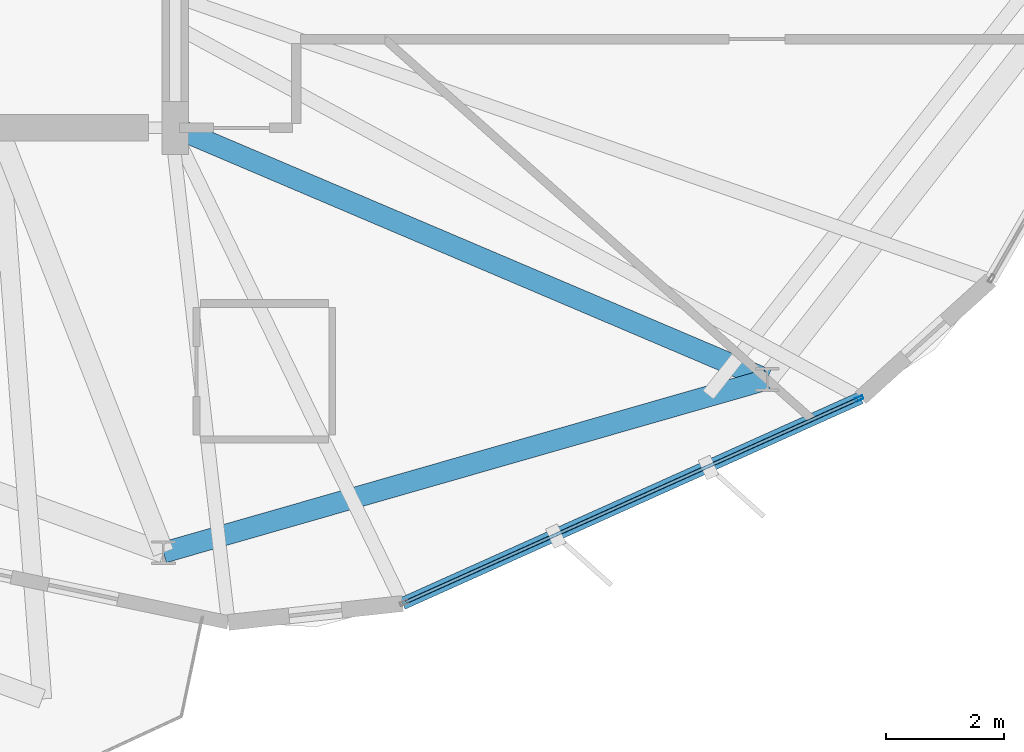
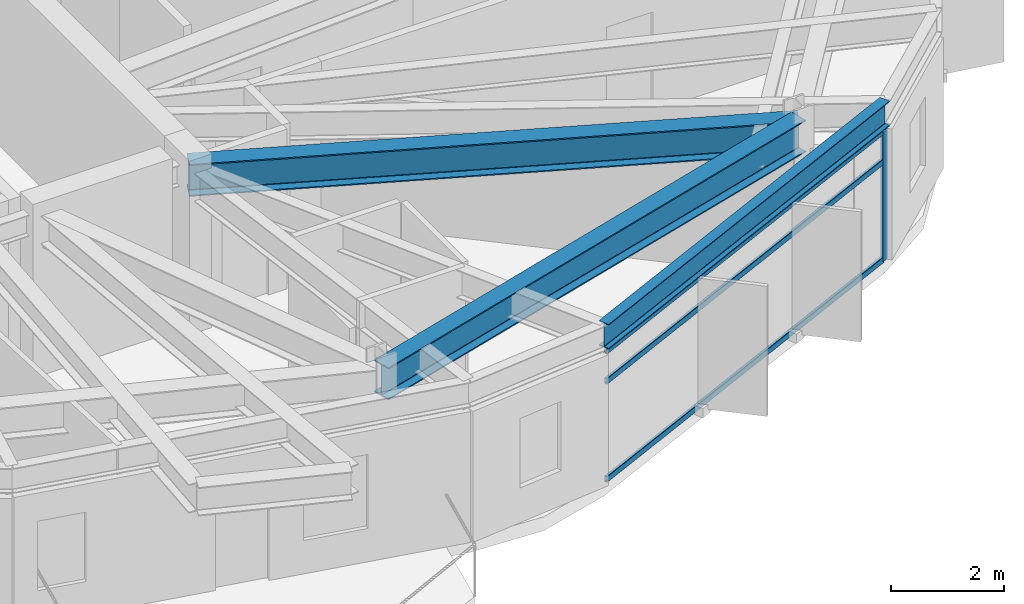
# One storey, part 6 of 23: 4 members, 3 beams, 1 element without a shape of its own.
"""IFC4 building model written with IfcOpenShell, lengths in metres."""

from ifc_helpers import new_model, si_unit, direction, frame, origin, origin_2d, place, context, subcontext, project, spatial, hollow_rectangle, i_section, extrude, material, layer, layer_set, material_profile, profile_set, type_object, element, aggregate, save


model = new_model("IFC4")

# Units and contexts
model_context = context("Model", 3, precision=1e-05, world=origin(), true_north=direction((0.0, 1.0)))
body_context = subcontext(model_context, "Body", "Model", "MODEL_VIEW")
ifc_project = project(units=[si_unit("LENGTHUNIT", "METRE"), si_unit("AREAUNIT", "SQUARE_METRE"), si_unit("VOLUMEUNIT", "CUBIC_METRE"), si_unit("PLANEANGLEUNIT", "RADIAN"), si_unit("MASSUNIT", "GRAM", prefix="KILO")], contexts=[model_context])

# Site, building, storey
site_placement = place(None, origin())
site = spatial("IfcSite", under=ifc_project, at=site_placement, CompositionType="ELEMENT")
building_placement = place(site_placement, origin())
building = spatial("IfcBuilding", under=site, at=building_placement, Name="Soratama Intermodal Tower", CompositionType="ELEMENT")
storey_placement = place(building_placement, frame((0.0, 0.0, 253.75)))
storey = spatial("IfcBuildingStorey", under=building, at=storey_placement, Name="L64", CompositionType="ELEMENT", Elevation=253.75)

# Beams
ifc_material_1 = material(Name="Structural steel ASTM A992 Grade 50", Category="steel")
ifc_material_profile_1 = material_profile(ifc_material_1, i_section(OverallWidth=0.35498046875, OverallDepth=0.695068359375, WebThickness=0.015380859375, FlangeThickness=0.02490234375, FilletRadius=0.01611328125, at=origin_2d()), Name="W27X146")
ifc_profile_set_1 = profile_set([ifc_material_profile_1], Name="Structural steel ASTM A992 Grade 50")
beam_type_1 = type_object("IfcBeamType", Name="BM-RING-W27X146", PredefinedType="BEAM", material=ifc_profile_set_1)
beam_1_placement = place(storey_placement, frame((44.39990234375, 7.81103515625, 3.1025390625), z_axis=(0.961262636932, 0.27563407416, 0.0), x_axis=(-0.27563407416, 0.961262636932, 0.0)))
element("IfcBeam", 1, at=beam_1_placement, inside=storey, type_object=beam_type_1, Name="BM-L64-RING-08", PredefinedType="BEAM", context=body_context, shape_type="SweptSolid", body=[
    extrude(i_section(OverallWidth=0.35498046875, OverallDepth=0.695068359375, WebThickness=0.015380859375, FlangeThickness=0.02490234375, FilletRadius=0.01611328125, at=origin_2d()), origin(), (0.0, 0.0, 1.0), 10.6298828125),
])
beam_2_placement = place(storey_placement, frame((44.60009765625, 15.0, 3.1025390625), z_axis=(0.920282671955, -0.391254142087, 0.0), x_axis=(0.391254142087, 0.920282671955, 0.0)))
element("IfcBeam", 2, at=beam_2_placement, inside=storey, type_object=beam_type_1, Name="BM-L64-RAD-09", PredefinedType="BEAM", context=body_context, shape_type="SweptSolid", body=[
    extrude(i_section(OverallWidth=0.35498046875, OverallDepth=0.695068359375, WebThickness=0.015380859375, FlangeThickness=0.02490234375, FilletRadius=0.01611328125, at=origin_2d()), origin(), (0.0, 0.0, 1.0), 10.885498046875),
])
ifc_material_2 = material(Name="Structural steel ASTM A992 Grade 50", Category="steel")
ifc_material_profile_2 = material_profile(ifc_material_2, i_section(OverallWidth=0.2099609375, OverallDepth=0.537109375, WebThickness=0.010986328125, FlangeThickness=0.017333984375, FilletRadius=0.012939453125, at=origin_2d()), Name="W21X68")
ifc_profile_set_2 = profile_set([ifc_material_profile_2], Name="Structural steel ASTM A992 Grade 50")
beam_type_2 = type_object("IfcBeamType", Name="BM-SPN-W21X68", PredefinedType="SPANDREL", material=ifc_profile_set_2)
beam_3_placement = place(storey_placement, frame((48.447021484375, 6.947998046875, 3.181396484375), z_axis=(0.912243686012, 0.409647967566, 0.0), x_axis=(-0.409647967566, 0.912243686012, 0.0)))
element("IfcBeam", 3, at=beam_3_placement, inside=storey, type_object=beam_type_2, Name="BS-L64-F07", PredefinedType="SPANDREL", context=body_context, shape_type="SweptSolid", body=[
    extrude(i_section(OverallWidth=0.2099609375, OverallDepth=0.537109375, WebThickness=0.010986328125, FlangeThickness=0.017333984375, FilletRadius=0.012939453125, at=origin_2d()), origin(), (0.0, 0.0, 1.0), 8.499755859375),
])

# Curtain wall, members
ifc_material_3 = material(Name="Double-glazed aluminium curtain wall", Category="aluminium")
ifc_layer = layer(ifc_material_3, 0.159912109375)
ifc_layer_set = layer_set([ifc_layer], Name="Double-glazed aluminium curtain wall")
curtain_wall_type = type_object("IfcCurtainWallType", Name="CW-SYS-5", PredefinedType="NOTDEFINED", material=ifc_layer_set)
curtain_wall_placement = place(storey_placement, origin())
curtain_wall = element("IfcCurtainWall", 4, at=curtain_wall_placement, inside=storey, type_object=curtain_wall_type, Name="L64 Faceted Curtain Wall F07", PredefinedType="NOTDEFINED")
ifc_material_4 = material(Name="Anodised aluminium AA 6063-T6", Category="aluminium")
ifc_material_profile_3 = material_profile(ifc_material_4, hollow_rectangle(XDim=0.06494140625, YDim=0.139892578125, WallThickness=0.0048828125, InnerFilletRadius=0.0048828125, OuterFilletRadius=0.010009765625, at=origin_2d()), Name="CWM140X65X5")
ifc_profile_set_3 = profile_set([ifc_material_profile_3], Name="Anodised aluminium AA 6063-T6")
member_type_1 = type_object("IfcMemberType", Name="MT-CWM-5", PredefinedType="MULLION", material=ifc_profile_set_3)
member_1_placement = place(storey_placement, frame((56.17333984375, 10.417236328125, 0.0), z_axis=(0.0, 0.0, 1.0), x_axis=(-0.409596996905, 0.912266572952, 0.0)))
member_1 = element("IfcMember", 5, at=member_1_placement, type_object=member_type_1, Name="CW-5 mullion 2", PredefinedType="MULLION", context=body_context, shape_type="SweptSolid", body=[
    extrude(hollow_rectangle(XDim=0.06494140625, YDim=0.139892578125, WallThickness=0.0048828125, InnerFilletRadius=0.0048828125, OuterFilletRadius=0.010009765625, at=origin_2d()), origin(), (0.0, 0.0, 1.0), 2.8291015625),
])
ifc_material_5 = material(Name="Anodised aluminium AA 6063-T6", Category="aluminium")
ifc_material_profile_4 = material_profile(ifc_material_5, hollow_rectangle(XDim=0.06005859375, YDim=0.1298828125, WallThickness=0.0048828125, InnerFilletRadius=0.0048828125, OuterFilletRadius=0.010009765625, at=origin_2d()), Name="CWT130X60X5")
ifc_profile_set_4 = profile_set([ifc_material_profile_4], Name="Anodised aluminium AA 6063-T6")
member_type_2 = type_object("IfcMemberType", Name="TT-CWT-2", PredefinedType="USERDEFINED", material=ifc_profile_set_4)
member_2_placement = place(storey_placement, frame((48.501220703125, 6.97265625, 0.030029296875), z_axis=(0.912268422758, 0.409592876938, 0.0), x_axis=(-0.409592876938, 0.912268422758, 0.0)))
member_2 = element("IfcMember", 6, at=member_2_placement, type_object=member_type_2, Name="CW-5 transom 1.1", ObjectType="TRANSOM", PredefinedType="USERDEFINED", context=body_context, shape_type="SweptSolid", body=[
    extrude(hollow_rectangle(XDim=0.06005859375, YDim=0.1298828125, WallThickness=0.0048828125, InnerFilletRadius=0.0048828125, OuterFilletRadius=0.010009765625, at=origin_2d()), origin(), (0.0, 0.0, 1.0), 8.3798828125),
])
member_3_placement = place(storey_placement, frame((48.501220703125, 6.97265625, 2.14990234375), z_axis=(0.912268422758, 0.409592876938, 0.0), x_axis=(-0.409592876938, 0.912268422758, 0.0)))
member_3 = element("IfcMember", 7, at=member_3_placement, type_object=member_type_2, Name="CW-5 transom 1.2", ObjectType="TRANSOM", PredefinedType="USERDEFINED", context=body_context, shape_type="SweptSolid", body=[
    extrude(hollow_rectangle(XDim=0.06005859375, YDim=0.1298828125, WallThickness=0.0048828125, InnerFilletRadius=0.0048828125, OuterFilletRadius=0.010009765625, at=origin_2d()), origin(), (0.0, 0.0, 1.0), 8.3798828125),
])
member_4_placement = place(storey_placement, frame((48.501220703125, 6.97265625, 2.799072265625), z_axis=(0.912268422758, 0.409592876938, 0.0), x_axis=(-0.409592876938, 0.912268422758, 0.0)))
member_4 = element("IfcMember", 8, at=member_4_placement, type_object=member_type_2, Name="CW-5 transom 1.3", ObjectType="TRANSOM", PredefinedType="USERDEFINED", context=body_context, shape_type="SweptSolid", body=[
    extrude(hollow_rectangle(XDim=0.06005859375, YDim=0.1298828125, WallThickness=0.0048828125, InnerFilletRadius=0.0048828125, OuterFilletRadius=0.010009765625, at=origin_2d()), origin(), (0.0, 0.0, 1.0), 8.3798828125),
])
aggregate(curtain_wall, [member_1, member_2, member_3, member_4])

save(model, "model.ifc")
